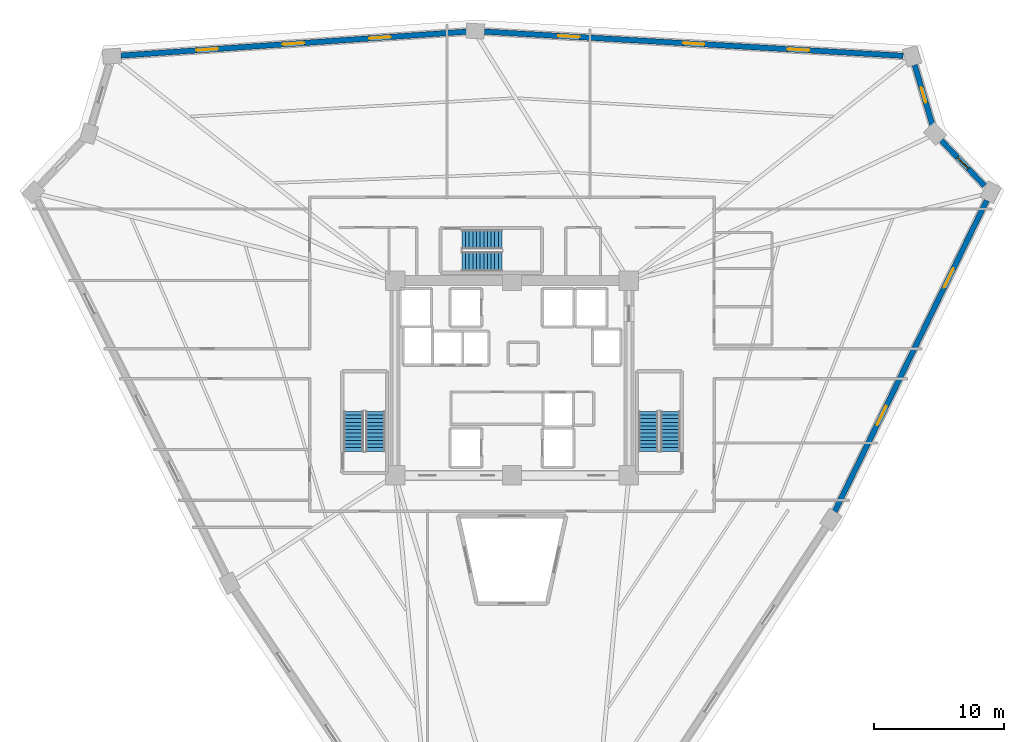
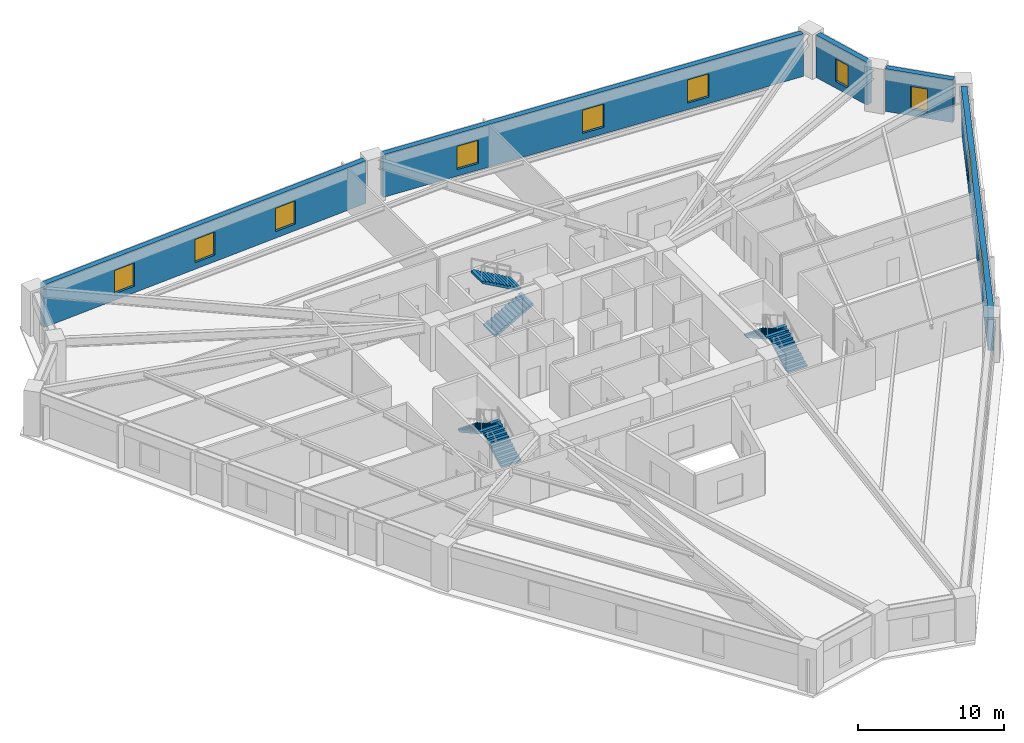
# One storey, part 7 of 8: 10 windows, 6 stair flights, 5 walls, 10 openings, 3 elements without a shape of their own.
"""IFC4 building model written with IfcOpenShell, lengths in metres."""

import ifcopenshell
import ifcopenshell.guid

model = None  # the IFC model being written
_history = None  # IfcOwnerHistory: only IFC2X3 demands one
_inside = {}  # id of a spatial element -> (the spatial element, [elements in it])
_under = {}  # id of a project, library or spatial element -> (it, [spatial elements below it])
_declared = {}  # id of a project -> (the project, [libraries it declares])
_typed = {}  # id of a type object -> (the type object, [elements of that type])
_made_of = {}  # id of a material, layer set ... -> (it, [elements and type objects made of it])


def new_model(schema):
    """Start an empty IFC model of exactly this schema.

    Asked for "IFC4X3", IfcOpenShell would pick the latest addendum, in which some entities
    have other attributes; the version numbers below select the first issue.
    IFC2X3 requires an IfcOwnerHistory on every rooted entity: one is made here for all.
    """
    global model, _history
    if schema == "IFC4X3":
        model = ifcopenshell.file(schema_version=(4, 3, 0, 0))
    else:
        model = ifcopenshell.file(schema=schema)
    _inside.clear()
    _under.clear()
    _declared.clear()
    _typed.clear()
    _made_of.clear()
    _history = None
    if model.schema == "IFC2X3":
        org = make("IfcOrganization", Name="unknown")
        user = make(
            "IfcPersonAndOrganization",
            ThePerson=make("IfcPerson", FamilyName="unknown"),
            TheOrganization=org,
        )
        app = make(
            "IfcApplication",
            ApplicationDeveloper=org,
            Version="unknown",
            ApplicationFullName="unknown",
            ApplicationIdentifier="unknown",
        )
        _history = make(
            "IfcOwnerHistory",
            OwningUser=user,
            OwningApplication=app,
            ChangeAction="ADDED",
            CreationDate=0,
        )
    return model


def make(cls, **values):
    """One entity of the class cls with the attributes given. An attribute that is None is left unset."""
    return model.create_entity(
        cls, **{name: value for name, value in values.items() if value is not None}
    )


def rooted(cls, **values):
    """An entity with a GlobalId (a new one), such as an element, a storey or a relation."""
    return make(cls, GlobalId=ifcopenshell.guid.new(), OwnerHistory=_history, **values)


def si_unit(unit_type, name, prefix=None):
    """IfcSIUnit, for example si_unit("LENGTHUNIT", "METRE", prefix="MILLI")."""
    return make("IfcSIUnit", UnitType=unit_type, Prefix=prefix, Name=name)


def assignment(units):
    """IfcUnitAssignment: the units of a project."""
    return None if units is None else make("IfcUnitAssignment", Units=units)


def point(xyz):
    """IfcCartesianPoint."""
    return None if xyz is None else make("IfcCartesianPoint", Coordinates=xyz)


def direction(xyz):
    """IfcDirection."""
    return None if xyz is None else make("IfcDirection", DirectionRatios=xyz)


def frame(location, z_axis=None, x_axis=None):
    """IfcAxis2Placement3D, a coordinate frame: its origin and axes. An axis left out is left unset."""
    return make(
        "IfcAxis2Placement3D",
        Location=point(location),
        Axis=direction(z_axis),
        RefDirection=direction(x_axis),
    )


def frame_2d(location, x_axis=None):
    """IfcAxis2Placement2D, a coordinate frame in the plane: its origin and x axis."""
    return make(
        "IfcAxis2Placement2D", Location=point(location), RefDirection=direction(x_axis)
    )


def origin():
    """The frame at (0, 0, 0) with its axes left unset."""
    return frame((0.0, 0.0, 0.0))


def place(relative_to, where):
    """IfcLocalPlacement: puts the frame where relative to a parent placement (None: the world)."""
    return make(
        "IfcLocalPlacement", PlacementRelTo=relative_to, RelativePlacement=where
    )


def context(
    kind, dimensions, precision=None, world=None, true_north=None, identifier=None
):
    """IfcGeometricRepresentationContext, for example the 3D "Model" context."""
    return make(
        "IfcGeometricRepresentationContext",
        ContextIdentifier=identifier,
        ContextType=kind,
        CoordinateSpaceDimension=dimensions,
        Precision=precision,
        WorldCoordinateSystem=world,
        TrueNorth=true_north,
    )


def subcontext(parent, identifier, kind, view, scale=None):
    """IfcGeometricRepresentationSubContext, for example "Body" below "Model"."""
    return make(
        "IfcGeometricRepresentationSubContext",
        ContextIdentifier=identifier,
        ContextType=kind,
        ParentContext=parent,
        TargetScale=scale,
        TargetView=view,
    )


def project(units=None, contexts=None):
    """IfcProject with its units and contexts."""
    return rooted(
        "IfcProject",
        Name="project",
        RepresentationContexts=contexts,
        UnitsInContext=assignment(units),
    )


def spatial(cls, under=None, at=None, **own):
    """A site, building, storey or space (cls), placed at a placement, below another one or the project."""
    s = rooted(cls, ObjectPlacement=at, **own)
    if under is not None:
        _under.setdefault(under.id(), (under, []))[1].append(s)
    return s


def polyline(points):
    """IfcPolyline through the points."""
    return make("IfcPolyline", Points=[point(p) for p in points])


def profile(cls, at=None, kind="AREA", **sizes):
    """A parametric profile (cls). Its sizes go by their IFC names, for example OverallWidth=200.0."""
    return make(cls, ProfileType=kind, Position=at, **sizes)


def rectangle(**sizes):
    """IfcRectangleProfileDef."""
    return profile("IfcRectangleProfileDef", **sizes)


def outline(outer, holes=None, kind="AREA"):
    """IfcArbitraryClosedProfileDef: a profile drawn as a closed curve; with holes, ...WithVoids."""
    if holes is None:
        return make("IfcArbitraryClosedProfileDef", ProfileType=kind, OuterCurve=outer)
    return make(
        "IfcArbitraryProfileDefWithVoids",
        ProfileType=kind,
        OuterCurve=outer,
        InnerCurves=holes,
    )


def extrude(swept, where, along, depth):
    """IfcExtrudedAreaSolid: the profile swept, set in the frame where, extruded along a direction by depth."""
    return make(
        "IfcExtrudedAreaSolid",
        SweptArea=swept,
        Position=where,
        ExtrudedDirection=direction(along),
        Depth=depth,
    )


def shape(context_of_items, identifier, shape_type, items):
    """IfcShapeRepresentation: the items that make up one representation, for example the "Body"."""
    return make(
        "IfcShapeRepresentation",
        ContextOfItems=context_of_items,
        RepresentationIdentifier=identifier,
        RepresentationType=shape_type,
        Items=items,
    )


def source(mapping_origin, context_of_items, identifier, shape_type, items):
    """IfcRepresentationMap: a shape defined once, which mapped items show again and again."""
    return make(
        "IfcRepresentationMap",
        MappingOrigin=mapping_origin,
        MappedRepresentation=shape(context_of_items, identifier, shape_type, items),
    )


def transform(
    local_origin,
    x_axis=None,
    y_axis=None,
    z_axis=None,
    scale=None,
    scale2=None,
    scale3=None,
    uniform=True,
):
    """IfcCartesianTransformationOperator3D, or its non-uniform kind. x_axis, y_axis, z_axis: its Axis1, 2, 3."""
    if uniform:
        return make(
            "IfcCartesianTransformationOperator3D",
            Axis1=direction(x_axis),
            Axis2=direction(y_axis),
            LocalOrigin=point(local_origin),
            Scale=scale,
            Axis3=direction(z_axis),
        )
    return make(
        "IfcCartesianTransformationOperator3DnonUniform",
        Axis1=direction(x_axis),
        Axis2=direction(y_axis),
        LocalOrigin=point(local_origin),
        Scale=scale,
        Axis3=direction(z_axis),
        Scale2=scale2,
        Scale3=scale3,
    )


def mapped(mapping_source, mapping_target):
    """IfcMappedItem: shows the shape of a source again, moved by a transform."""
    return make(
        "IfcMappedItem", MappingSource=mapping_source, MappingTarget=mapping_target
    )


def material(Name=None, Category=None):
    """IfcMaterial."""
    return make("IfcMaterial", Name=Name, Category=Category)


def layer(
    of_material, thickness, ventilated=None, Name=None, Category=None, Priority=None
):
    """IfcMaterialLayer: one layer of a wall or slab, of a material (None: an air gap)."""
    return make(
        "IfcMaterialLayer",
        Material=of_material,
        LayerThickness=thickness,
        IsVentilated=ventilated,
        Name=Name,
        Category=Category,
        Priority=Priority,
    )


def layer_set(layers, Name=None):
    """IfcMaterialLayerSet."""
    return make("IfcMaterialLayerSet", MaterialLayers=layers, LayerSetName=Name)


def made_of(thing, what):
    """Note that an element or type object is made of a material, layer set ...; save() writes the relation."""
    if what is not None:
        _made_of.setdefault(what.id(), (what, []))[1].append(thing)
    return thing


def type_object(cls, material=None, **own):
    """A type object (cls), such as IfcWallType, which elements share."""
    return made_of(rooted(cls, **own), material)


def element(
    cls,
    number,
    at=None,
    inside=None,
    cuts=None,
    type_object=None,
    material=None,
    context=None,
    identifier="Body",
    shape_type=None,
    held_by="IfcProductDefinitionShape",
    body=None,
    shapes=None,
    **own,
):
    """One element of the class cls, such as IfcWall. Its Tag is "e" and its number.

    at: its placement. inside: the storey or other place that contains it. cuts: it is an
    opening in that element (IfcRelVoidsElement). A single representation is given by context,
    identifier, shape_type and body (its items); several are given by shapes. held_by: the class
    of the entity that holds the representations. save() writes the other relations.
    """
    e = rooted(cls, Tag="e%d" % number, ObjectPlacement=at, **own)
    if body is not None:
        shapes = [shape(context, identifier, shape_type, body)]
    if shapes is not None:
        e.Representation = make(held_by, Representations=shapes)
    if inside is not None:
        _inside.setdefault(inside.id(), (inside, []))[1].append(e)
    if cuts is not None:
        rooted(
            "IfcRelVoidsElement", RelatingBuildingElement=cuts, RelatedOpeningElement=e
        )
    if type_object is not None:
        _typed.setdefault(type_object.id(), (type_object, []))[1].append(e)
    return made_of(e, material)


def fill(opening, filler):
    """IfcRelFillsElement: the door or window that sits in an opening."""
    return rooted(
        "IfcRelFillsElement",
        RelatingOpeningElement=opening,
        RelatedBuildingElement=filler,
    )


def aggregate(whole, parts):
    """IfcRelAggregates: a whole, such as a stair, and the parts it consists of."""
    return rooted("IfcRelAggregates", RelatingObject=whole, RelatedObjects=parts)


def save(model, path):
    """Write the relations noted so far, then the file.

    IfcRelAggregates (storeys below a building ...), IfcRelContainedInSpatialStructure (elements
    in a storey), IfcRelDefinesByType, IfcRelAssociatesMaterial and IfcRelDeclares: one each for
    every whole, place, type object, material and project.
    """
    for whole, parts in _under.values():
        aggregate(whole, parts)
    for where, things in _inside.values():
        rooted(
            "IfcRelContainedInSpatialStructure",
            RelatedElements=things,
            RelatingStructure=where,
        )
    for kind, things in _typed.values():
        rooted("IfcRelDefinesByType", RelatedObjects=things, RelatingType=kind)
    for what, things in _made_of.values():
        rooted("IfcRelAssociatesMaterial", RelatedObjects=things, RelatingMaterial=what)
    for by, libraries in _declared.values():
        rooted("IfcRelDeclares", RelatingContext=by, RelatedDefinitions=libraries)
    model.write(path)


model = new_model("IFC4")

# Units and contexts
model_context = context("Model", 3, precision=1e-05, world=origin(), true_north=direction((0.0, 1.0)))
body_context = subcontext(model_context, "Body", "Model", "MODEL_VIEW")
ifc_project = project(units=[si_unit("LENGTHUNIT", "METRE"), si_unit("AREAUNIT", "SQUARE_METRE"), si_unit("VOLUMEUNIT", "CUBIC_METRE"), si_unit("PLANEANGLEUNIT", "RADIAN"), si_unit("MASSUNIT", "GRAM", prefix="KILO")], contexts=[model_context])

# Site, building, storey
site_placement = place(None, origin())
site = spatial("IfcSite", under=ifc_project, at=site_placement, CompositionType="ELEMENT")
building_placement = place(site_placement, origin())
building = spatial("IfcBuilding", under=site, at=building_placement, Name="Liaohun Quay Tower", CompositionType="ELEMENT")
storey_placement = place(building_placement, frame((0.0, 0.0, 109.5)))
storey = spatial("IfcBuildingStorey", under=building, at=storey_placement, Name="L28", CompositionType="ELEMENT", Elevation=109.5)

# Wall, openings, windows
ifc_material_1 = material(Name="Precast concrete C50 insulated sandwich", Category="concrete")
ifc_layer = layer(ifc_material_1, 0.419921875, Name="Precast concrete C50 insulated sandwich", Category="concrete")
ifc_layer_set = layer_set([ifc_layer], Name="Precast concrete C50 insulated sandwich")
wall_type = type_object("IfcWallType", Name="WAL-EXT-Z12", PredefinedType="SOLIDWALL", material=ifc_layer_set)
wall_1_placement = place(storey_placement, frame((84.8359375, 43.718017578125, 0.0), z_axis=(0.0, 0.0, 1.0), x_axis=(0.439006754844, 0.898483761234, 0.0)))
wall_1 = element("IfcWall", 1, at=wall_1_placement, inside=storey, type_object=wall_type, Name="L28 Brutalist Precast Pier Wall 03", PredefinedType="SOLIDWALL", context=body_context, shape_type="SweptSolid", body=[
    extrude(rectangle(XDim=26.656005859375, YDim=0.419921875, at=frame_2d((13.328125, 0.0))), origin(), (0.0, 0.0, 1.0), 3.570068359375),
])
shared_shape_1 = source(origin(), body_context, "Body", "SweptSolid", [
    extrude(rectangle(XDim=1.64990234375, YDim=1.949951171875, at=frame_2d((0.824951171875, 0.97509765625))), frame((0.0, 0.219970703125, 0.0), z_axis=(0.0, -1.0, 0.0), x_axis=(1.0, 0.0, 0.0)), (0.0, 0.0, 1.0), 0.43994140625),
])
opening_1_placement = place(wall_1_placement, frame((7.388916015625, 0.0, 0.550048828125)))
opening_1 = element("IfcOpeningElement", 2, at=opening_1_placement, cuts=wall_1, Name="Opening W02", PredefinedType="OPENING", context=body_context, shape_type="MappedRepresentation", body=[
    mapped(shared_shape_1, transform((0.0, 0.0, 0.0), x_axis=(1.0, 0.0, 0.0), y_axis=(0.0, 1.0, 0.0), z_axis=(0.0, 0.0, 1.0), scale=1.0)),
])
opening_2_placement = place(wall_1_placement, frame((19.1669921875, 0.0, 0.550048828125)))
opening_2 = element("IfcOpeningElement", 3, at=opening_2_placement, cuts=wall_1, Name="Opening W02", PredefinedType="OPENING", context=body_context, shape_type="MappedRepresentation", body=[
    mapped(shared_shape_1, transform((0.0, 0.0, 0.0), x_axis=(1.0, 0.0, 0.0), y_axis=(0.0, 1.0, 0.0), z_axis=(0.0, 0.0, 1.0), scale=1.0)),
])
ifc_material_2 = material(Name="Triple Low-E argon glazing in thermally broken aluminium", Category="aluminium")
window_type_1 = type_object("IfcWindowType", Name="WIN-PUN-Z2", PartitioningType="DOUBLE_PANEL_VERTICAL", PredefinedType="WINDOW", material=ifc_material_2)
shared_shape_2 = source(origin(), body_context, "Body", "SweptSolid", [
    extrude(rectangle(XDim=1.64990234375, YDim=1.949951171875, at=frame_2d((0.824951171875, 0.97509765625))), frame((0.0, 0.030029296875, 0.0), z_axis=(0.0, -1.0, 0.0), x_axis=(1.0, 0.0, 0.0)), (0.0, 0.0, 1.0), 0.06005859375),
])
window_1_placement = place(opening_1_placement, origin())
window_1 = element("IfcWindow", 4, at=window_1_placement, inside=storey, type_object=window_type_1, Name="L28 Recessed Cold-Climate Punched Window 03-1", OverallHeight=1.949951171875, OverallWidth=1.64990234375, PartitioningType="DOUBLE_PANEL_VERTICAL", PredefinedType="WINDOW", context=body_context, shape_type="MappedRepresentation", body=[
    mapped(shared_shape_2, transform((0.0, 0.0, 0.0), x_axis=(1.0, 0.0, 0.0), y_axis=(0.0, 1.0, 0.0), z_axis=(0.0, 0.0, 1.0), scale=1.0)),
])
fill(opening_1, window_1)
window_2_placement = place(opening_2_placement, origin())
window_2 = element("IfcWindow", 5, at=window_2_placement, inside=storey, type_object=window_type_1, Name="L28 Recessed Cold-Climate Punched Window 03-3", OverallHeight=1.949951171875, OverallWidth=1.64990234375, PartitioningType="DOUBLE_PANEL_VERTICAL", PredefinedType="WINDOW", context=body_context, shape_type="MappedRepresentation", body=[
    mapped(shared_shape_2, transform((0.0, 0.0, 0.0), x_axis=(1.0, 0.0, 0.0), y_axis=(0.0, 1.0, 0.0), z_axis=(0.0, 0.0, 1.0), scale=1.0)),
])
fill(opening_2, window_2)

# Wall, opening, window
wall_2_placement = place(storey_placement, frame((96.364990234375, 68.7880859375, 0.0), z_axis=(0.0, 0.0, 1.0), x_axis=(-0.68933261552, 0.724444991135, 0.0)))
wall_2 = element("IfcWall", 6, at=wall_2_placement, inside=storey, type_object=wall_type, Name="L28 Brutalist Precast Pier Wall 04", PredefinedType="SOLIDWALL", context=body_context, shape_type="SweptSolid", body=[
    extrude(rectangle(XDim=4.83935546875, YDim=0.419921875, at=frame_2d((2.419677734375, 0.0))), origin(), (0.0, 0.0, 1.0), 3.570068359375),
])
shared_shape_3 = source(origin(), body_context, "Body", "SweptSolid", [
    extrude(rectangle(XDim=1.199951171875, YDim=1.89990234375, at=frame_2d((0.60009765625, 0.949951171875))), frame((0.0, 0.219970703125, 0.0), z_axis=(0.0, -1.0, 0.0), x_axis=(1.0, 0.0, 0.0)), (0.0, 0.0, 1.0), 0.43994140625),
])
opening_3_placement = place(wall_2_placement, frame((1.820068359375, 0.0, 0.550048828125)))
opening_3 = element("IfcOpeningElement", 7, at=opening_3_placement, cuts=wall_2, Name="Opening W05", PredefinedType="OPENING", context=body_context, shape_type="MappedRepresentation", body=[
    mapped(shared_shape_3, transform((0.0, 0.0, 0.0), x_axis=(1.0, 0.0, 0.0), y_axis=(0.0, 1.0, 0.0), z_axis=(0.0, 0.0, 1.0), scale=1.0)),
])
ifc_material_3 = material(Name="Triple Low-E corner notch glazing", Category="glass")
window_type_2 = type_object("IfcWindowType", Name="WIN-NOTCH", PartitioningType="SINGLE_PANEL", PredefinedType="WINDOW", material=ifc_material_3)
shared_shape_4 = source(origin(), body_context, "Body", "SweptSolid", [
    extrude(rectangle(XDim=1.199951171875, YDim=1.89990234375, at=frame_2d((0.60009765625, 0.949951171875))), frame((0.0, 0.030029296875, 0.0), z_axis=(0.0, -1.0, 0.0), x_axis=(1.0, 0.0, 0.0)), (0.0, 0.0, 1.0), 0.06005859375),
])
window_3_placement = place(opening_3_placement, origin())
window_3 = element("IfcWindow", 8, at=window_3_placement, inside=storey, type_object=window_type_2, Name="L28 Corner Notch Window W05-04", OverallHeight=1.89990234375, OverallWidth=1.199951171875, PartitioningType="SINGLE_PANEL", PredefinedType="WINDOW", context=body_context, shape_type="MappedRepresentation", body=[
    mapped(shared_shape_4, transform((0.0, 0.0, 0.0), x_axis=(1.0, 0.0, 0.0), y_axis=(0.0, 1.0, 0.0), z_axis=(0.0, 0.0, 1.0), scale=1.0)),
])
fill(opening_3, window_3)

wall_3_placement = place(storey_placement, frame((92.35791015625, 73.4560546875, 0.0), z_axis=(0.0, 0.0, 1.0), x_axis=(-0.282817124876, 0.959173849663, 0.0)))
wall_3 = element("IfcWall", 9, at=wall_3_placement, inside=storey, type_object=wall_type, Name="L28 Brutalist Precast Pier Wall 05", PredefinedType="SOLIDWALL", context=body_context, shape_type="SweptSolid", body=[
    extrude(rectangle(XDim=4.833251953125, YDim=0.419921875, at=frame_2d((2.41650390625, 0.0))), origin(), (0.0, 0.0, 1.0), 3.570068359375),
])
opening_4_placement = place(wall_3_placement, frame((1.81689453125, 0.0, 0.550048828125)))
opening_4 = element("IfcOpeningElement", 10, at=opening_4_placement, cuts=wall_3, Name="Opening W05", PredefinedType="OPENING", context=body_context, shape_type="MappedRepresentation", body=[
    mapped(shared_shape_3, transform((0.0, 0.0, 0.0), x_axis=(1.0, 0.0, 0.0), y_axis=(0.0, 1.0, 0.0), z_axis=(0.0, 0.0, 1.0), scale=1.0)),
])
window_4_placement = place(opening_4_placement, origin())
window_4 = element("IfcWindow", 11, at=window_4_placement, inside=storey, type_object=window_type_2, Name="L28 Corner Notch Window W05-05", OverallHeight=1.89990234375, OverallWidth=1.199951171875, PartitioningType="SINGLE_PANEL", PredefinedType="WINDOW", context=body_context, shape_type="MappedRepresentation", body=[
    mapped(shared_shape_4, transform((0.0, 0.0, 0.0), x_axis=(1.0, 0.0, 0.0), y_axis=(0.0, 1.0, 0.0), z_axis=(0.0, 0.0, 1.0), scale=1.0)),
])
fill(opening_4, window_4)

# Wall, openings, windows
wall_4_placement = place(storey_placement, frame((90.10693359375, 78.7939453125, 0.0), z_axis=(0.0, 0.0, 1.0), x_axis=(-0.998334830413, 0.057685062058, 0.0)))
wall_4 = element("IfcWall", 12, at=wall_4_placement, inside=storey, type_object=wall_type, Name="L28 Brutalist Precast Pier Wall 06", PredefinedType="SOLIDWALL", context=body_context, shape_type="SweptSolid", body=[
    extrude(rectangle(XDim=32.296630859375, YDim=0.419921875, at=frame_2d((16.1484375, 0.0))), origin(), (0.0, 0.0, 1.0), 3.570068359375),
])
opening_5_placement = place(wall_4_placement, frame((7.2490234375, 0.0, 0.550048828125)))
opening_5 = element("IfcOpeningElement", 13, at=opening_5_placement, cuts=wall_4, Name="Opening W02", PredefinedType="OPENING", context=body_context, shape_type="MappedRepresentation", body=[
    mapped(shared_shape_1, transform((0.0, 0.0, 0.0), x_axis=(1.0, 0.0, 0.0), y_axis=(0.0, 1.0, 0.0), z_axis=(0.0, 0.0, 1.0), scale=1.0)),
])
opening_6_placement = place(wall_4_placement, frame((15.322998046875, 0.0, 0.550048828125)))
opening_6 = element("IfcOpeningElement", 14, at=opening_6_placement, cuts=wall_4, Name="Opening W02", PredefinedType="OPENING", context=body_context, shape_type="MappedRepresentation", body=[
    mapped(shared_shape_1, transform((0.0, 0.0, 0.0), x_axis=(1.0, 0.0, 0.0), y_axis=(0.0, 1.0, 0.0), z_axis=(0.0, 0.0, 1.0), scale=1.0)),
])
opening_7_placement = place(wall_4_placement, frame((24.947998046875, 0.0, 0.550048828125)))
opening_7 = element("IfcOpeningElement", 15, at=opening_7_placement, cuts=wall_4, Name="Opening W02", PredefinedType="OPENING", context=body_context, shape_type="MappedRepresentation", body=[
    mapped(shared_shape_1, transform((0.0, 0.0, 0.0), x_axis=(1.0, 0.0, 0.0), y_axis=(0.0, 1.0, 0.0), z_axis=(0.0, 0.0, 1.0), scale=1.0)),
])
window_5_placement = place(opening_5_placement, origin())
window_5 = element("IfcWindow", 16, at=window_5_placement, inside=storey, type_object=window_type_1, Name="L28 Recessed Cold-Climate Punched Window 06-1", OverallHeight=1.949951171875, OverallWidth=1.64990234375, PartitioningType="DOUBLE_PANEL_VERTICAL", PredefinedType="WINDOW", context=body_context, shape_type="MappedRepresentation", body=[
    mapped(shared_shape_2, transform((0.0, 0.0, 0.0), x_axis=(1.0, 0.0, 0.0), y_axis=(0.0, 1.0, 0.0), z_axis=(0.0, 0.0, 1.0), scale=1.0)),
])
fill(opening_5, window_5)
window_6_placement = place(opening_6_placement, origin())
window_6 = element("IfcWindow", 17, at=window_6_placement, inside=storey, type_object=window_type_1, Name="L28 Recessed Cold-Climate Punched Window 06-2", OverallHeight=1.949951171875, OverallWidth=1.64990234375, PartitioningType="DOUBLE_PANEL_VERTICAL", PredefinedType="WINDOW", context=body_context, shape_type="MappedRepresentation", body=[
    mapped(shared_shape_2, transform((0.0, 0.0, 0.0), x_axis=(1.0, 0.0, 0.0), y_axis=(0.0, 1.0, 0.0), z_axis=(0.0, 0.0, 1.0), scale=1.0)),
])
fill(opening_6, window_6)
window_7_placement = place(opening_7_placement, origin())
window_7 = element("IfcWindow", 18, at=window_7_placement, inside=storey, type_object=window_type_1, Name="L28 Recessed Cold-Climate Punched Window 06-3", OverallHeight=1.949951171875, OverallWidth=1.64990234375, PartitioningType="DOUBLE_PANEL_VERTICAL", PredefinedType="WINDOW", context=body_context, shape_type="MappedRepresentation", body=[
    mapped(shared_shape_2, transform((0.0, 0.0, 0.0), x_axis=(1.0, 0.0, 0.0), y_axis=(0.0, 1.0, 0.0), z_axis=(0.0, 0.0, 1.0), scale=1.0)),
])
fill(opening_7, window_7)

wall_5_placement = place(storey_placement, frame((56.487060546875, 80.64892578125, 0.0), z_axis=(0.0, 0.0, 1.0), x_axis=(-0.997615260402, -0.069020230456, 0.0)))
wall_5 = element("IfcWall", 19, at=wall_5_placement, inside=storey, type_object=wall_type, Name="L28 Brutalist Precast Pier Wall 07", PredefinedType="SOLIDWALL", context=body_context, shape_type="SweptSolid", body=[
    extrude(rectangle(XDim=26.656494140625, YDim=0.419921875, at=frame_2d((13.328125, 0.0))), origin(), (0.0, 0.0, 1.0), 3.570068359375),
])
opening_8_placement = place(wall_5_placement, frame((5.839111328125, 0.0, 0.550048828125)))
opening_8 = element("IfcOpeningElement", 20, at=opening_8_placement, cuts=wall_5, Name="Opening W02", PredefinedType="OPENING", context=body_context, shape_type="MappedRepresentation", body=[
    mapped(shared_shape_1, transform((0.0, 0.0, 0.0), x_axis=(1.0, 0.0, 0.0), y_axis=(0.0, 1.0, 0.0), z_axis=(0.0, 0.0, 1.0), scale=1.0)),
])
opening_9_placement = place(wall_5_placement, frame((12.5029296875, 0.0, 0.550048828125)))
opening_9 = element("IfcOpeningElement", 21, at=opening_9_placement, cuts=wall_5, Name="Opening W02", PredefinedType="OPENING", context=body_context, shape_type="MappedRepresentation", body=[
    mapped(shared_shape_1, transform((0.0, 0.0, 0.0), x_axis=(1.0, 0.0, 0.0), y_axis=(0.0, 1.0, 0.0), z_axis=(0.0, 0.0, 1.0), scale=1.0)),
])
opening_10_placement = place(wall_5_placement, frame((19.1669921875, 0.0, 0.550048828125)))
opening_10 = element("IfcOpeningElement", 22, at=opening_10_placement, cuts=wall_5, Name="Opening W02", PredefinedType="OPENING", context=body_context, shape_type="MappedRepresentation", body=[
    mapped(shared_shape_1, transform((0.0, 0.0, 0.0), x_axis=(1.0, 0.0, 0.0), y_axis=(0.0, 1.0, 0.0), z_axis=(0.0, 0.0, 1.0), scale=1.0)),
])
window_8_placement = place(opening_8_placement, origin())
window_8 = element("IfcWindow", 23, at=window_8_placement, inside=storey, type_object=window_type_1, Name="L28 Recessed Cold-Climate Punched Window 07-1", OverallHeight=1.949951171875, OverallWidth=1.64990234375, PartitioningType="DOUBLE_PANEL_VERTICAL", PredefinedType="WINDOW", context=body_context, shape_type="MappedRepresentation", body=[
    mapped(shared_shape_2, transform((0.0, 0.0, 0.0), x_axis=(1.0, 0.0, 0.0), y_axis=(0.0, 1.0, 0.0), z_axis=(0.0, 0.0, 1.0), scale=1.0)),
])
fill(opening_8, window_8)
window_9_placement = place(opening_9_placement, origin())
window_9 = element("IfcWindow", 24, at=window_9_placement, inside=storey, type_object=window_type_1, Name="L28 Recessed Cold-Climate Punched Window 07-2", OverallHeight=1.949951171875, OverallWidth=1.64990234375, PartitioningType="DOUBLE_PANEL_VERTICAL", PredefinedType="WINDOW", context=body_context, shape_type="MappedRepresentation", body=[
    mapped(shared_shape_2, transform((0.0, 0.0, 0.0), x_axis=(1.0, 0.0, 0.0), y_axis=(0.0, 1.0, 0.0), z_axis=(0.0, 0.0, 1.0), scale=1.0)),
])
fill(opening_9, window_9)
window_10_placement = place(opening_10_placement, origin())
window_10 = element("IfcWindow", 25, at=window_10_placement, inside=storey, type_object=window_type_1, Name="L28 Recessed Cold-Climate Punched Window 07-3", OverallHeight=1.949951171875, OverallWidth=1.64990234375, PartitioningType="DOUBLE_PANEL_VERTICAL", PredefinedType="WINDOW", context=body_context, shape_type="MappedRepresentation", body=[
    mapped(shared_shape_2, transform((0.0, 0.0, 0.0), x_axis=(1.0, 0.0, 0.0), y_axis=(0.0, 1.0, 0.0), z_axis=(0.0, 0.0, 1.0), scale=1.0)),
])
fill(opening_10, window_10)

# Stair, stair flights
ifc_material_4 = material(Name="Concrete C45", Category="concrete")
stair_type = type_object("IfcStairType", Name="STR-CORE-OFF", PredefinedType="HALF_TURN_STAIR", material=ifc_material_4)
stair_1_placement = place(storey_placement, origin())
stair_1 = element("IfcStair", 26, at=stair_1_placement, inside=storey, type_object=stair_type, Name="L28 Smokeproof Core Exit Stair ST-1", PredefinedType="HALF_TURN_STAIR")
stair_flight_type = type_object("IfcStairFlightType", Name="FLT-CORE-155", PredefinedType="STRAIGHT", material=ifc_material_4)
stair_flight_1_placement = place(storey_placement, frame((49.5048828125, 48.35009765625, 0.0), z_axis=(0.0, 0.0, 1.0), x_axis=(0.0, 1.0, 0.0)))
stair_flight_1 = element("IfcStairFlight", 27, at=stair_flight_1_placement, type_object=stair_flight_type, Name="ST-1 flight 1", NumberOfRisers=12, NumberOfTreads=11, PredefinedType="STRAIGHT", RiserHeight=0.15625, TreadLength=0.28, context=body_context, shape_type="SweptSolid", body=[
    extrude(outline(polyline([(0.0, 0.0), (0.0, 0.15625), (0.280029296875, 0.15625), (0.280029296875, 0.3125), (0.56005859375, 0.3125), (0.56005859375, 0.46875), (0.840087890625, 0.46875), (0.840087890625, 0.625), (1.1201171875, 0.625), (1.1201171875, 0.78125), (1.39990234375, 0.78125), (1.39990234375, 0.9375), (1.679931640625, 0.9375), (1.679931640625, 1.09375), (1.9599609375, 1.09375), (1.9599609375, 1.25), (2.239990234375, 1.25), (2.239990234375, 1.40625), (2.52001953125, 1.40625), (2.52001953125, 1.5625), (2.800048828125, 1.5625), (2.800048828125, 1.71875), (3.080078125, 1.71875), (3.080078125, 1.875), (3.080078125, 1.547119140625), (0.3076171875, 0.0), (0.0, 0.0)])), frame((0.0, 0.77490234375, 0.0), z_axis=(0.0, -1.0, 0.0), x_axis=(1.0, 0.0, 0.0)), (0.0, 0.0, 1.0), 1.550048828125),
])
stair_flight_2_placement = place(storey_placement, frame((47.81494140625, 51.429931640625, 1.875), z_axis=(0.0, 0.0, 1.0), x_axis=(0.0, -1.0, 0.0)))
stair_flight_2 = element("IfcStairFlight", 28, at=stair_flight_2_placement, type_object=stair_flight_type, Name="ST-1 flight 2", NumberOfRisers=12, NumberOfTreads=11, PredefinedType="STRAIGHT", RiserHeight=0.15625, TreadLength=0.28, context=body_context, shape_type="SweptSolid", body=[
    extrude(outline(polyline([(0.0, 0.0), (0.0, 0.15625), (0.280029296875, 0.15625), (0.280029296875, 0.3125), (0.56005859375, 0.3125), (0.56005859375, 0.46875), (0.840087890625, 0.46875), (0.840087890625, 0.625), (1.1201171875, 0.625), (1.1201171875, 0.78125), (1.39990234375, 0.78125), (1.39990234375, 0.9375), (1.679931640625, 0.9375), (1.679931640625, 1.09375), (1.9599609375, 1.09375), (1.9599609375, 1.25), (2.239990234375, 1.25), (2.239990234375, 1.40625), (2.52001953125, 1.40625), (2.52001953125, 1.5625), (2.800048828125, 1.5625), (2.800048828125, 1.71875), (3.080078125, 1.71875), (3.080078125, 1.875), (3.080078125, 1.547119140625), (0.3076171875, 0.0), (0.0, 0.0)])), frame((0.0, 0.77490234375, 0.0), z_axis=(0.0, -1.0, 0.0), x_axis=(1.0, 0.0, 0.0)), (0.0, 0.0, 1.0), 1.550048828125),
])
aggregate(stair_1, [stair_flight_1, stair_flight_2])

stair_2_placement = place(storey_placement, origin())
stair_2 = element("IfcStair", 29, at=stair_2_placement, inside=storey, type_object=stair_type, Name="L28 Smokeproof Core Exit Stair ST-2", PredefinedType="HALF_TURN_STAIR")
stair_flight_3_placement = place(storey_placement, frame((72.18505859375, 48.35009765625, 0.0), z_axis=(0.0, 0.0, 1.0), x_axis=(0.0, 1.0, 0.0)))
stair_flight_3 = element("IfcStairFlight", 30, at=stair_flight_3_placement, type_object=stair_flight_type, Name="ST-2 flight 1", NumberOfRisers=12, NumberOfTreads=11, PredefinedType="STRAIGHT", RiserHeight=0.15625, TreadLength=0.28, context=body_context, shape_type="SweptSolid", body=[
    extrude(outline(polyline([(0.0, 0.0), (0.0, 0.15625), (0.280029296875, 0.15625), (0.280029296875, 0.3125), (0.56005859375, 0.3125), (0.56005859375, 0.46875), (0.840087890625, 0.46875), (0.840087890625, 0.625), (1.1201171875, 0.625), (1.1201171875, 0.78125), (1.39990234375, 0.78125), (1.39990234375, 0.9375), (1.679931640625, 0.9375), (1.679931640625, 1.09375), (1.9599609375, 1.09375), (1.9599609375, 1.25), (2.239990234375, 1.25), (2.239990234375, 1.40625), (2.52001953125, 1.40625), (2.52001953125, 1.5625), (2.800048828125, 1.5625), (2.800048828125, 1.71875), (3.080078125, 1.71875), (3.080078125, 1.875), (3.080078125, 1.547119140625), (0.3076171875, 0.0), (0.0, 0.0)])), frame((0.0, 0.77490234375, 0.0), z_axis=(0.0, -1.0, 0.0), x_axis=(1.0, 0.0, 0.0)), (0.0, 0.0, 1.0), 1.550048828125),
])
stair_flight_4_placement = place(storey_placement, frame((70.4951171875, 51.429931640625, 1.875), z_axis=(0.0, 0.0, 1.0), x_axis=(0.0, -1.0, 0.0)))
stair_flight_4 = element("IfcStairFlight", 31, at=stair_flight_4_placement, type_object=stair_flight_type, Name="ST-2 flight 2", NumberOfRisers=12, NumberOfTreads=11, PredefinedType="STRAIGHT", RiserHeight=0.15625, TreadLength=0.28, context=body_context, shape_type="SweptSolid", body=[
    extrude(outline(polyline([(0.0, 0.0), (0.0, 0.15625), (0.280029296875, 0.15625), (0.280029296875, 0.3125), (0.56005859375, 0.3125), (0.56005859375, 0.46875), (0.840087890625, 0.46875), (0.840087890625, 0.625), (1.1201171875, 0.625), (1.1201171875, 0.78125), (1.39990234375, 0.78125), (1.39990234375, 0.9375), (1.679931640625, 0.9375), (1.679931640625, 1.09375), (1.9599609375, 1.09375), (1.9599609375, 1.25), (2.239990234375, 1.25), (2.239990234375, 1.40625), (2.52001953125, 1.40625), (2.52001953125, 1.5625), (2.800048828125, 1.5625), (2.800048828125, 1.71875), (3.080078125, 1.71875), (3.080078125, 1.875), (3.080078125, 1.547119140625), (0.3076171875, 0.0), (0.0, 0.0)])), frame((0.0, 0.77490234375, 0.0), z_axis=(0.0, -1.0, 0.0), x_axis=(1.0, 0.0, 0.0)), (0.0, 0.0, 1.0), 1.550048828125),
])
aggregate(stair_2, [stair_flight_3, stair_flight_4])

stair_3_placement = place(storey_placement, origin())
stair_3 = element("IfcStair", 32, at=stair_3_placement, inside=storey, type_object=stair_type, Name="L28 Smokeproof Core Exit Stair ST-3", PredefinedType="HALF_TURN_STAIR")
stair_flight_5_placement = place(storey_placement, frame((56.14990234375, 62.97509765625, 0.0), z_axis=(0.0, 0.0, 1.0), x_axis=(1.0, 0.0, 0.0)))
stair_flight_5 = element("IfcStairFlight", 33, at=stair_flight_5_placement, type_object=stair_flight_type, Name="ST-3 flight 1", NumberOfRisers=12, NumberOfTreads=11, PredefinedType="STRAIGHT", RiserHeight=0.15625, TreadLength=0.28, context=body_context, shape_type="SweptSolid", body=[
    extrude(outline(polyline([(0.0, 0.0), (0.0, 0.15625), (0.280029296875, 0.15625), (0.280029296875, 0.3125), (0.56005859375, 0.3125), (0.56005859375, 0.46875), (0.840087890625, 0.46875), (0.840087890625, 0.625), (1.1201171875, 0.625), (1.1201171875, 0.78125), (1.39990234375, 0.78125), (1.39990234375, 0.9375), (1.679931640625, 0.9375), (1.679931640625, 1.09375), (1.9599609375, 1.09375), (1.9599609375, 1.25), (2.239990234375, 1.25), (2.239990234375, 1.40625), (2.52001953125, 1.40625), (2.52001953125, 1.5625), (2.800048828125, 1.5625), (2.800048828125, 1.71875), (3.080078125, 1.71875), (3.080078125, 1.875), (3.080078125, 1.547119140625), (0.3076171875, 0.0), (0.0, 0.0)])), frame((0.0, 0.77490234375, 0.0), z_axis=(0.0, -1.0, 0.0), x_axis=(1.0, 0.0, 0.0)), (0.0, 0.0, 1.0), 1.550048828125),
])
stair_flight_6_placement = place(storey_placement, frame((59.22998046875, 64.6650390625, 1.875), z_axis=(0.0, 0.0, 1.0), x_axis=(-1.0, 0.0, 0.0)))
stair_flight_6 = element("IfcStairFlight", 34, at=stair_flight_6_placement, type_object=stair_flight_type, Name="ST-3 flight 2", NumberOfRisers=12, NumberOfTreads=11, PredefinedType="STRAIGHT", RiserHeight=0.15625, TreadLength=0.28, context=body_context, shape_type="SweptSolid", body=[
    extrude(outline(polyline([(0.0, 0.0), (0.0, 0.15625), (0.280029296875, 0.15625), (0.280029296875, 0.3125), (0.56005859375, 0.3125), (0.56005859375, 0.46875), (0.840087890625, 0.46875), (0.840087890625, 0.625), (1.1201171875, 0.625), (1.1201171875, 0.78125), (1.39990234375, 0.78125), (1.39990234375, 0.9375), (1.679931640625, 0.9375), (1.679931640625, 1.09375), (1.9599609375, 1.09375), (1.9599609375, 1.25), (2.239990234375, 1.25), (2.239990234375, 1.40625), (2.52001953125, 1.40625), (2.52001953125, 1.5625), (2.800048828125, 1.5625), (2.800048828125, 1.71875), (3.080078125, 1.71875), (3.080078125, 1.875), (3.080078125, 1.547119140625), (0.3076171875, 0.0), (0.0, 0.0)])), frame((0.0, 0.77490234375, 0.0), z_axis=(0.0, -1.0, 0.0), x_axis=(1.0, 0.0, 0.0)), (0.0, 0.0, 1.0), 1.550048828125),
])
aggregate(stair_3, [stair_flight_5, stair_flight_6])

save(model, "model.ifc")
